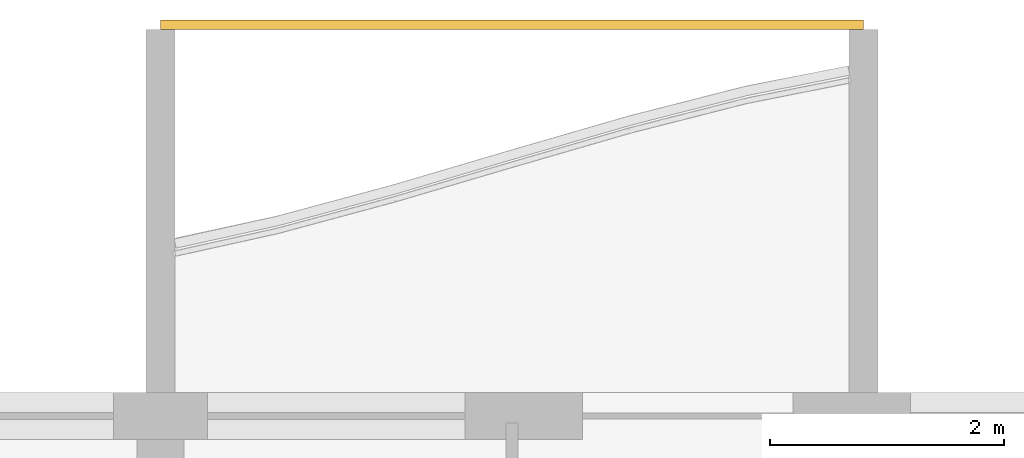
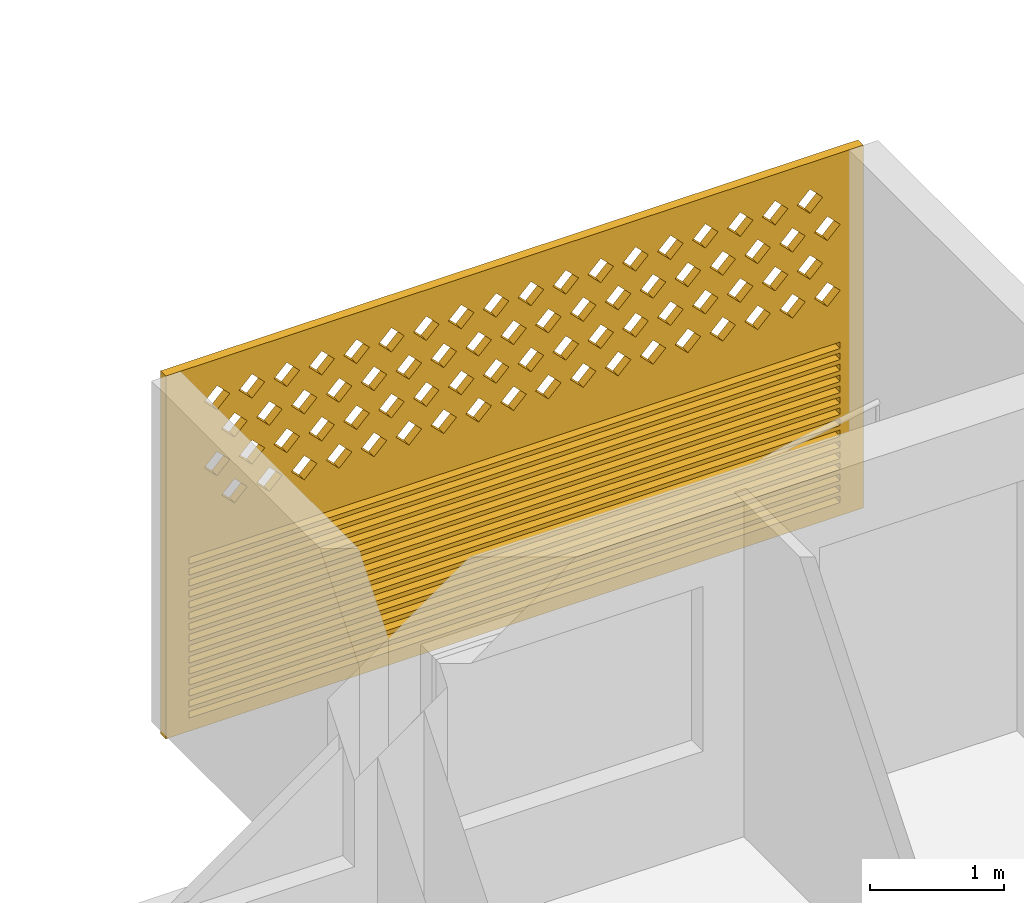
# One storey, part 31 of 40: 1 covering.
"""IFC4 building model written with IfcOpenShell, lengths in metres."""

from ifc_helpers import new_model, si_unit, direction, frame, origin, place, context, subcontext, project, spatial, polyline, outline, extrude, source, transform, mapped, material, material_profile, profile_set, type_object, element, save


model = new_model("IFC4")

# Units and contexts
model_context = context("Model", 3, precision=1e-05, world=origin(), true_north=direction((0.0, 1.0)))
body_context = subcontext(model_context, "Body", "Model", "MODEL_VIEW")
ifc_project = project(units=[si_unit("LENGTHUNIT", "METRE"), si_unit("AREAUNIT", "SQUARE_METRE"), si_unit("VOLUMEUNIT", "CUBIC_METRE"), si_unit("PLANEANGLEUNIT", "RADIAN"), si_unit("MASSUNIT", "GRAM", prefix="KILO")], contexts=[model_context])

# Site, building, storey
site_placement = place(None, origin())
site = spatial("IfcSite", under=ifc_project, at=site_placement, CompositionType="ELEMENT")
building_placement = place(site_placement, origin())
building = spatial("IfcBuilding", under=site, at=building_placement, Name="Poui Terraces", CompositionType="ELEMENT")
storey_placement = place(building_placement, frame((0.0, 0.0, 36.60009765625)))
storey = spatial("IfcBuildingStorey", under=building, at=storey_placement, Name="L09", CompositionType="ELEMENT", Elevation=36.60009765625)

# Covering
ifc_material = material(Name="Terracotta screen", Category="masonry")
ifc_material_profile = material_profile(ifc_material, outline(polyline([(-3.0, -1.64990234375), (3.0, -1.64990234375), (3.0, 1.64990234375), (-3.0, 1.64990234375), (-3.0, -1.64990234375)]), holes=[polyline([(-2.800048828125, 0.39990234375), (-2.68994140625, 0.2900390625), (-2.580078125, 0.39990234375), (-2.68994140625, 0.510009765625), (-2.800048828125, 0.39990234375)]), polyline([(-2.5, 0.39990234375), (-2.389892578125, 0.2900390625), (-2.280029296875, 0.39990234375), (-2.389892578125, 0.510009765625), (-2.5, 0.39990234375)]), polyline([(-2.199951171875, 0.39990234375), (-2.090087890625, 0.2900390625), (-1.97998046875, 0.39990234375), (-2.090087890625, 0.510009765625), (-2.199951171875, 0.39990234375)]), polyline([(-1.89990234375, 0.39990234375), (-1.7900390625, 0.2900390625), (-1.679931640625, 0.39990234375), (-1.7900390625, 0.510009765625), (-1.89990234375, 0.39990234375)]), polyline([(-1.60009765625, 0.39990234375), (-1.489990234375, 0.2900390625), (-1.3798828125, 0.39990234375), (-1.489990234375, 0.510009765625), (-1.60009765625, 0.39990234375)]), polyline([(-1.300048828125, 0.39990234375), (-1.18994140625, 0.2900390625), (-1.080078125, 0.39990234375), (-1.18994140625, 0.510009765625), (-1.300048828125, 0.39990234375)]), polyline([(-1.0, 0.39990234375), (-0.889892578125, 0.2900390625), (-0.780029296875, 0.39990234375), (-0.889892578125, 0.510009765625), (-1.0, 0.39990234375)]), polyline([(-0.699951171875, 0.39990234375), (-0.590087890625, 0.2900390625), (-0.47998046875, 0.39990234375), (-0.590087890625, 0.510009765625), (-0.699951171875, 0.39990234375)]), polyline([(-0.39990234375, 0.39990234375), (-0.2900390625, 0.2900390625), (-0.179931640625, 0.39990234375), (-0.2900390625, 0.510009765625), (-0.39990234375, 0.39990234375)]), polyline([(-0.10009765625, 0.39990234375), (0.010009765625, 0.2900390625), (0.1201171875, 0.39990234375), (0.010009765625, 0.510009765625), (-0.10009765625, 0.39990234375)]), polyline([(0.199951171875, 0.39990234375), (0.31005859375, 0.2900390625), (0.419921875, 0.39990234375), (0.31005859375, 0.510009765625), (0.199951171875, 0.39990234375)]), polyline([(0.5, 0.39990234375), (0.610107421875, 0.2900390625), (0.719970703125, 0.39990234375), (0.610107421875, 0.510009765625), (0.5, 0.39990234375)]), polyline([(0.800048828125, 0.39990234375), (0.909912109375, 0.2900390625), (1.02001953125, 0.39990234375), (0.909912109375, 0.510009765625), (0.800048828125, 0.39990234375)]), polyline([(1.10009765625, 0.39990234375), (1.2099609375, 0.2900390625), (1.320068359375, 0.39990234375), (1.2099609375, 0.510009765625), (1.10009765625, 0.39990234375)]), polyline([(1.39990234375, 0.39990234375), (1.510009765625, 0.2900390625), (1.6201171875, 0.39990234375), (1.510009765625, 0.510009765625), (1.39990234375, 0.39990234375)]), polyline([(1.699951171875, 0.39990234375), (1.81005859375, 0.2900390625), (1.919921875, 0.39990234375), (1.81005859375, 0.510009765625), (1.699951171875, 0.39990234375)]), polyline([(2.0, 0.39990234375), (2.110107421875, 0.2900390625), (2.219970703125, 0.39990234375), (2.110107421875, 0.510009765625), (2.0, 0.39990234375)]), polyline([(2.300048828125, 0.39990234375), (2.409912109375, 0.2900390625), (2.52001953125, 0.39990234375), (2.409912109375, 0.510009765625), (2.300048828125, 0.39990234375)]), polyline([(-2.64990234375, 0.699951171875), (-2.5400390625, 0.590087890625), (-2.429931640625, 0.699951171875), (-2.5400390625, 0.81005859375), (-2.64990234375, 0.699951171875)]), polyline([(-2.35009765625, 0.699951171875), (-2.239990234375, 0.590087890625), (-2.1298828125, 0.699951171875), (-2.239990234375, 0.81005859375), (-2.35009765625, 0.699951171875)]), polyline([(-2.050048828125, 0.699951171875), (-1.93994140625, 0.590087890625), (-1.830078125, 0.699951171875), (-1.93994140625, 0.81005859375), (-2.050048828125, 0.699951171875)]), polyline([(-1.75, 0.699951171875), (-1.639892578125, 0.590087890625), (-1.530029296875, 0.699951171875), (-1.639892578125, 0.81005859375), (-1.75, 0.699951171875)]), polyline([(-1.449951171875, 0.699951171875), (-1.340087890625, 0.590087890625), (-1.22998046875, 0.699951171875), (-1.340087890625, 0.81005859375), (-1.449951171875, 0.699951171875)]), polyline([(-1.14990234375, 0.699951171875), (-1.0400390625, 0.590087890625), (-0.929931640625, 0.699951171875), (-1.0400390625, 0.81005859375), (-1.14990234375, 0.699951171875)]), polyline([(-0.85009765625, 0.699951171875), (-0.739990234375, 0.590087890625), (-0.6298828125, 0.699951171875), (-0.739990234375, 0.81005859375), (-0.85009765625, 0.699951171875)]), polyline([(-0.550048828125, 0.699951171875), (-0.43994140625, 0.590087890625), (-0.330078125, 0.699951171875), (-0.43994140625, 0.81005859375), (-0.550048828125, 0.699951171875)]), polyline([(-0.25, 0.699951171875), (-0.139892578125, 0.590087890625), (-0.030029296875, 0.699951171875), (-0.139892578125, 0.81005859375), (-0.25, 0.699951171875)]), polyline([(0.050048828125, 0.699951171875), (0.159912109375, 0.590087890625), (0.27001953125, 0.699951171875), (0.159912109375, 0.81005859375), (0.050048828125, 0.699951171875)]), polyline([(0.35009765625, 0.699951171875), (0.4599609375, 0.590087890625), (0.570068359375, 0.699951171875), (0.4599609375, 0.81005859375), (0.35009765625, 0.699951171875)]), polyline([(0.64990234375, 0.699951171875), (0.760009765625, 0.590087890625), (0.8701171875, 0.699951171875), (0.760009765625, 0.81005859375), (0.64990234375, 0.699951171875)]), polyline([(0.949951171875, 0.699951171875), (1.06005859375, 0.590087890625), (1.169921875, 0.699951171875), (1.06005859375, 0.81005859375), (0.949951171875, 0.699951171875)]), polyline([(1.25, 0.699951171875), (1.360107421875, 0.590087890625), (1.469970703125, 0.699951171875), (1.360107421875, 0.81005859375), (1.25, 0.699951171875)]), polyline([(1.550048828125, 0.699951171875), (1.659912109375, 0.590087890625), (1.77001953125, 0.699951171875), (1.659912109375, 0.81005859375), (1.550048828125, 0.699951171875)]), polyline([(1.85009765625, 0.699951171875), (1.9599609375, 0.590087890625), (2.070068359375, 0.699951171875), (1.9599609375, 0.81005859375), (1.85009765625, 0.699951171875)]), polyline([(2.14990234375, 0.699951171875), (2.260009765625, 0.590087890625), (2.3701171875, 0.699951171875), (2.260009765625, 0.81005859375), (2.14990234375, 0.699951171875)]), polyline([(2.449951171875, 0.699951171875), (2.56005859375, 0.590087890625), (2.669921875, 0.699951171875), (2.56005859375, 0.81005859375), (2.449951171875, 0.699951171875)]), polyline([(-2.800048828125, 1.0), (-2.68994140625, 0.889892578125), (-2.580078125, 1.0), (-2.68994140625, 1.110107421875), (-2.800048828125, 1.0)]), polyline([(-2.5, 1.0), (-2.389892578125, 0.889892578125), (-2.280029296875, 1.0), (-2.389892578125, 1.110107421875), (-2.5, 1.0)]), polyline([(-2.199951171875, 1.0), (-2.090087890625, 0.889892578125), (-1.97998046875, 1.0), (-2.090087890625, 1.110107421875), (-2.199951171875, 1.0)]), polyline([(-1.89990234375, 1.0), (-1.7900390625, 0.889892578125), (-1.679931640625, 1.0), (-1.7900390625, 1.110107421875), (-1.89990234375, 1.0)]), polyline([(-1.60009765625, 1.0), (-1.489990234375, 0.889892578125), (-1.3798828125, 1.0), (-1.489990234375, 1.110107421875), (-1.60009765625, 1.0)]), polyline([(-1.300048828125, 1.0), (-1.18994140625, 0.889892578125), (-1.080078125, 1.0), (-1.18994140625, 1.110107421875), (-1.300048828125, 1.0)]), polyline([(-1.0, 1.0), (-0.889892578125, 0.889892578125), (-0.780029296875, 1.0), (-0.889892578125, 1.110107421875), (-1.0, 1.0)]), polyline([(-0.699951171875, 1.0), (-0.590087890625, 0.889892578125), (-0.47998046875, 1.0), (-0.590087890625, 1.110107421875), (-0.699951171875, 1.0)]), polyline([(-0.39990234375, 1.0), (-0.2900390625, 0.889892578125), (-0.179931640625, 1.0), (-0.2900390625, 1.110107421875), (-0.39990234375, 1.0)]), polyline([(-0.10009765625, 1.0), (0.010009765625, 0.889892578125), (0.1201171875, 1.0), (0.010009765625, 1.110107421875), (-0.10009765625, 1.0)]), polyline([(0.199951171875, 1.0), (0.31005859375, 0.889892578125), (0.419921875, 1.0), (0.31005859375, 1.110107421875), (0.199951171875, 1.0)]), polyline([(0.5, 1.0), (0.610107421875, 0.889892578125), (0.719970703125, 1.0), (0.610107421875, 1.110107421875), (0.5, 1.0)]), polyline([(0.800048828125, 1.0), (0.909912109375, 0.889892578125), (1.02001953125, 1.0), (0.909912109375, 1.110107421875), (0.800048828125, 1.0)]), polyline([(1.10009765625, 1.0), (1.2099609375, 0.889892578125), (1.320068359375, 1.0), (1.2099609375, 1.110107421875), (1.10009765625, 1.0)]), polyline([(1.39990234375, 1.0), (1.510009765625, 0.889892578125), (1.6201171875, 1.0), (1.510009765625, 1.110107421875), (1.39990234375, 1.0)]), polyline([(1.699951171875, 1.0), (1.81005859375, 0.889892578125), (1.919921875, 1.0), (1.81005859375, 1.110107421875), (1.699951171875, 1.0)]), polyline([(2.0, 1.0), (2.110107421875, 0.889892578125), (2.219970703125, 1.0), (2.110107421875, 1.110107421875), (2.0, 1.0)]), polyline([(2.300048828125, 1.0), (2.409912109375, 0.889892578125), (2.52001953125, 1.0), (2.409912109375, 1.110107421875), (2.300048828125, 1.0)]), polyline([(-2.64990234375, 1.300048828125), (-2.5400390625, 1.18994140625), (-2.429931640625, 1.300048828125), (-2.5400390625, 1.409912109375), (-2.64990234375, 1.300048828125)]), polyline([(-2.35009765625, 1.300048828125), (-2.239990234375, 1.18994140625), (-2.1298828125, 1.300048828125), (-2.239990234375, 1.409912109375), (-2.35009765625, 1.300048828125)]), polyline([(-2.050048828125, 1.300048828125), (-1.93994140625, 1.18994140625), (-1.830078125, 1.300048828125), (-1.93994140625, 1.409912109375), (-2.050048828125, 1.300048828125)]), polyline([(-1.75, 1.300048828125), (-1.639892578125, 1.18994140625), (-1.530029296875, 1.300048828125), (-1.639892578125, 1.409912109375), (-1.75, 1.300048828125)]), polyline([(-1.449951171875, 1.300048828125), (-1.340087890625, 1.18994140625), (-1.22998046875, 1.300048828125), (-1.340087890625, 1.409912109375), (-1.449951171875, 1.300048828125)]), polyline([(-1.14990234375, 1.300048828125), (-1.0400390625, 1.18994140625), (-0.929931640625, 1.300048828125), (-1.0400390625, 1.409912109375), (-1.14990234375, 1.300048828125)]), polyline([(-0.85009765625, 1.300048828125), (-0.739990234375, 1.18994140625), (-0.6298828125, 1.300048828125), (-0.739990234375, 1.409912109375), (-0.85009765625, 1.300048828125)]), polyline([(-0.550048828125, 1.300048828125), (-0.43994140625, 1.18994140625), (-0.330078125, 1.300048828125), (-0.43994140625, 1.409912109375), (-0.550048828125, 1.300048828125)]), polyline([(-0.25, 1.300048828125), (-0.139892578125, 1.18994140625), (-0.030029296875, 1.300048828125), (-0.139892578125, 1.409912109375), (-0.25, 1.300048828125)]), polyline([(0.050048828125, 1.300048828125), (0.159912109375, 1.18994140625), (0.27001953125, 1.300048828125), (0.159912109375, 1.409912109375), (0.050048828125, 1.300048828125)]), polyline([(0.35009765625, 1.300048828125), (0.4599609375, 1.18994140625), (0.570068359375, 1.300048828125), (0.4599609375, 1.409912109375), (0.35009765625, 1.300048828125)]), polyline([(0.64990234375, 1.300048828125), (0.760009765625, 1.18994140625), (0.8701171875, 1.300048828125), (0.760009765625, 1.409912109375), (0.64990234375, 1.300048828125)]), polyline([(0.949951171875, 1.300048828125), (1.06005859375, 1.18994140625), (1.169921875, 1.300048828125), (1.06005859375, 1.409912109375), (0.949951171875, 1.300048828125)]), polyline([(1.25, 1.300048828125), (1.360107421875, 1.18994140625), (1.469970703125, 1.300048828125), (1.360107421875, 1.409912109375), (1.25, 1.300048828125)]), polyline([(1.550048828125, 1.300048828125), (1.659912109375, 1.18994140625), (1.77001953125, 1.300048828125), (1.659912109375, 1.409912109375), (1.550048828125, 1.300048828125)]), polyline([(1.85009765625, 1.300048828125), (1.9599609375, 1.18994140625), (2.070068359375, 1.300048828125), (1.9599609375, 1.409912109375), (1.85009765625, 1.300048828125)]), polyline([(2.14990234375, 1.300048828125), (2.260009765625, 1.18994140625), (2.3701171875, 1.300048828125), (2.260009765625, 1.409912109375), (2.14990234375, 1.300048828125)]), polyline([(2.449951171875, 1.300048828125), (2.56005859375, 1.18994140625), (2.669921875, 1.300048828125), (2.56005859375, 1.409912109375), (2.449951171875, 1.300048828125)]), polyline([(-2.800048828125, -1.530029296875), (2.800048828125, -1.530029296875), (2.800048828125, -1.469970703125), (-2.800048828125, -1.469970703125), (-2.800048828125, -1.530029296875)]), polyline([(-2.800048828125, -1.429931640625), (2.800048828125, -1.429931640625), (2.800048828125, -1.3701171875), (-2.800048828125, -1.3701171875), (-2.800048828125, -1.429931640625)]), polyline([(-2.800048828125, -1.330078125), (2.800048828125, -1.330078125), (2.800048828125, -1.27001953125), (-2.800048828125, -1.27001953125), (-2.800048828125, -1.330078125)]), polyline([(-2.800048828125, -1.22998046875), (2.800048828125, -1.22998046875), (2.800048828125, -1.169921875), (-2.800048828125, -1.169921875), (-2.800048828125, -1.22998046875)]), polyline([(-2.800048828125, -1.1298828125), (2.800048828125, -1.1298828125), (2.800048828125, -1.070068359375), (-2.800048828125, -1.070068359375), (-2.800048828125, -1.1298828125)]), polyline([(-2.800048828125, -1.030029296875), (2.800048828125, -1.030029296875), (2.800048828125, -0.969970703125), (-2.800048828125, -0.969970703125), (-2.800048828125, -1.030029296875)]), polyline([(-2.800048828125, -0.929931640625), (2.800048828125, -0.929931640625), (2.800048828125, -0.8701171875), (-2.800048828125, -0.8701171875), (-2.800048828125, -0.929931640625)]), polyline([(-2.800048828125, -0.830078125), (2.800048828125, -0.830078125), (2.800048828125, -0.77001953125), (-2.800048828125, -0.77001953125), (-2.800048828125, -0.830078125)]), polyline([(-2.800048828125, -0.72998046875), (2.800048828125, -0.72998046875), (2.800048828125, -0.669921875), (-2.800048828125, -0.669921875), (-2.800048828125, -0.72998046875)]), polyline([(-2.800048828125, -0.6298828125), (2.800048828125, -0.6298828125), (2.800048828125, -0.570068359375), (-2.800048828125, -0.570068359375), (-2.800048828125, -0.6298828125)]), polyline([(-2.800048828125, -0.530029296875), (2.800048828125, -0.530029296875), (2.800048828125, -0.469970703125), (-2.800048828125, -0.469970703125), (-2.800048828125, -0.530029296875)]), polyline([(-2.800048828125, -0.429931640625), (2.800048828125, -0.429931640625), (2.800048828125, -0.3701171875), (-2.800048828125, -0.3701171875), (-2.800048828125, -0.429931640625)]), polyline([(-2.800048828125, -0.330078125), (2.800048828125, -0.330078125), (2.800048828125, -0.27001953125), (-2.800048828125, -0.27001953125), (-2.800048828125, -0.330078125)]), polyline([(-2.800048828125, -0.22998046875), (2.800048828125, -0.22998046875), (2.800048828125, -0.169921875), (-2.800048828125, -0.169921875), (-2.800048828125, -0.22998046875)]), polyline([(-2.800048828125, -0.1298828125), (2.800048828125, -0.1298828125), (2.800048828125, -0.070068359375), (-2.800048828125, -0.070068359375), (-2.800048828125, -0.1298828125)])]), Name="TERRACOTTA SCREEN AND JALOUSIE LOUVRE 6000X3300")
ifc_profile_set = profile_set([ifc_material_profile], Name="Terracotta screen")
covering_type = type_object("IfcCoveringType", Name="TERRACOTTA SCREEN AND JALOUSIE LOUVRE 6000X3300", PredefinedType="CLADDING", material=ifc_profile_set)
shared_shape = source(origin(), body_context, "Body", "SweptSolid", [
    extrude(outline(polyline([(-3.0, -1.64990234375), (3.0, -1.64990234375), (3.0, 1.64990234375), (-3.0, 1.64990234375), (-3.0, -1.64990234375)]), holes=[polyline([(-2.800048828125, 0.39990234375), (-2.68994140625, 0.2900390625), (-2.580078125, 0.39990234375), (-2.68994140625, 0.510009765625), (-2.800048828125, 0.39990234375)]), polyline([(-2.5, 0.39990234375), (-2.389892578125, 0.2900390625), (-2.280029296875, 0.39990234375), (-2.389892578125, 0.510009765625), (-2.5, 0.39990234375)]), polyline([(-2.199951171875, 0.39990234375), (-2.090087890625, 0.2900390625), (-1.97998046875, 0.39990234375), (-2.090087890625, 0.510009765625), (-2.199951171875, 0.39990234375)]), polyline([(-1.89990234375, 0.39990234375), (-1.7900390625, 0.2900390625), (-1.679931640625, 0.39990234375), (-1.7900390625, 0.510009765625), (-1.89990234375, 0.39990234375)]), polyline([(-1.60009765625, 0.39990234375), (-1.489990234375, 0.2900390625), (-1.3798828125, 0.39990234375), (-1.489990234375, 0.510009765625), (-1.60009765625, 0.39990234375)]), polyline([(-1.300048828125, 0.39990234375), (-1.18994140625, 0.2900390625), (-1.080078125, 0.39990234375), (-1.18994140625, 0.510009765625), (-1.300048828125, 0.39990234375)]), polyline([(-1.0, 0.39990234375), (-0.889892578125, 0.2900390625), (-0.780029296875, 0.39990234375), (-0.889892578125, 0.510009765625), (-1.0, 0.39990234375)]), polyline([(-0.699951171875, 0.39990234375), (-0.590087890625, 0.2900390625), (-0.47998046875, 0.39990234375), (-0.590087890625, 0.510009765625), (-0.699951171875, 0.39990234375)]), polyline([(-0.39990234375, 0.39990234375), (-0.2900390625, 0.2900390625), (-0.179931640625, 0.39990234375), (-0.2900390625, 0.510009765625), (-0.39990234375, 0.39990234375)]), polyline([(-0.10009765625, 0.39990234375), (0.010009765625, 0.2900390625), (0.1201171875, 0.39990234375), (0.010009765625, 0.510009765625), (-0.10009765625, 0.39990234375)]), polyline([(0.199951171875, 0.39990234375), (0.31005859375, 0.2900390625), (0.419921875, 0.39990234375), (0.31005859375, 0.510009765625), (0.199951171875, 0.39990234375)]), polyline([(0.5, 0.39990234375), (0.610107421875, 0.2900390625), (0.719970703125, 0.39990234375), (0.610107421875, 0.510009765625), (0.5, 0.39990234375)]), polyline([(0.800048828125, 0.39990234375), (0.909912109375, 0.2900390625), (1.02001953125, 0.39990234375), (0.909912109375, 0.510009765625), (0.800048828125, 0.39990234375)]), polyline([(1.10009765625, 0.39990234375), (1.2099609375, 0.2900390625), (1.320068359375, 0.39990234375), (1.2099609375, 0.510009765625), (1.10009765625, 0.39990234375)]), polyline([(1.39990234375, 0.39990234375), (1.510009765625, 0.2900390625), (1.6201171875, 0.39990234375), (1.510009765625, 0.510009765625), (1.39990234375, 0.39990234375)]), polyline([(1.699951171875, 0.39990234375), (1.81005859375, 0.2900390625), (1.919921875, 0.39990234375), (1.81005859375, 0.510009765625), (1.699951171875, 0.39990234375)]), polyline([(2.0, 0.39990234375), (2.110107421875, 0.2900390625), (2.219970703125, 0.39990234375), (2.110107421875, 0.510009765625), (2.0, 0.39990234375)]), polyline([(2.300048828125, 0.39990234375), (2.409912109375, 0.2900390625), (2.52001953125, 0.39990234375), (2.409912109375, 0.510009765625), (2.300048828125, 0.39990234375)]), polyline([(-2.64990234375, 0.699951171875), (-2.5400390625, 0.590087890625), (-2.429931640625, 0.699951171875), (-2.5400390625, 0.81005859375), (-2.64990234375, 0.699951171875)]), polyline([(-2.35009765625, 0.699951171875), (-2.239990234375, 0.590087890625), (-2.1298828125, 0.699951171875), (-2.239990234375, 0.81005859375), (-2.35009765625, 0.699951171875)]), polyline([(-2.050048828125, 0.699951171875), (-1.93994140625, 0.590087890625), (-1.830078125, 0.699951171875), (-1.93994140625, 0.81005859375), (-2.050048828125, 0.699951171875)]), polyline([(-1.75, 0.699951171875), (-1.639892578125, 0.590087890625), (-1.530029296875, 0.699951171875), (-1.639892578125, 0.81005859375), (-1.75, 0.699951171875)]), polyline([(-1.449951171875, 0.699951171875), (-1.340087890625, 0.590087890625), (-1.22998046875, 0.699951171875), (-1.340087890625, 0.81005859375), (-1.449951171875, 0.699951171875)]), polyline([(-1.14990234375, 0.699951171875), (-1.0400390625, 0.590087890625), (-0.929931640625, 0.699951171875), (-1.0400390625, 0.81005859375), (-1.14990234375, 0.699951171875)]), polyline([(-0.85009765625, 0.699951171875), (-0.739990234375, 0.590087890625), (-0.6298828125, 0.699951171875), (-0.739990234375, 0.81005859375), (-0.85009765625, 0.699951171875)]), polyline([(-0.550048828125, 0.699951171875), (-0.43994140625, 0.590087890625), (-0.330078125, 0.699951171875), (-0.43994140625, 0.81005859375), (-0.550048828125, 0.699951171875)]), polyline([(-0.25, 0.699951171875), (-0.139892578125, 0.590087890625), (-0.030029296875, 0.699951171875), (-0.139892578125, 0.81005859375), (-0.25, 0.699951171875)]), polyline([(0.050048828125, 0.699951171875), (0.159912109375, 0.590087890625), (0.27001953125, 0.699951171875), (0.159912109375, 0.81005859375), (0.050048828125, 0.699951171875)]), polyline([(0.35009765625, 0.699951171875), (0.4599609375, 0.590087890625), (0.570068359375, 0.699951171875), (0.4599609375, 0.81005859375), (0.35009765625, 0.699951171875)]), polyline([(0.64990234375, 0.699951171875), (0.760009765625, 0.590087890625), (0.8701171875, 0.699951171875), (0.760009765625, 0.81005859375), (0.64990234375, 0.699951171875)]), polyline([(0.949951171875, 0.699951171875), (1.06005859375, 0.590087890625), (1.169921875, 0.699951171875), (1.06005859375, 0.81005859375), (0.949951171875, 0.699951171875)]), polyline([(1.25, 0.699951171875), (1.360107421875, 0.590087890625), (1.469970703125, 0.699951171875), (1.360107421875, 0.81005859375), (1.25, 0.699951171875)]), polyline([(1.550048828125, 0.699951171875), (1.659912109375, 0.590087890625), (1.77001953125, 0.699951171875), (1.659912109375, 0.81005859375), (1.550048828125, 0.699951171875)]), polyline([(1.85009765625, 0.699951171875), (1.9599609375, 0.590087890625), (2.070068359375, 0.699951171875), (1.9599609375, 0.81005859375), (1.85009765625, 0.699951171875)]), polyline([(2.14990234375, 0.699951171875), (2.260009765625, 0.590087890625), (2.3701171875, 0.699951171875), (2.260009765625, 0.81005859375), (2.14990234375, 0.699951171875)]), polyline([(2.449951171875, 0.699951171875), (2.56005859375, 0.590087890625), (2.669921875, 0.699951171875), (2.56005859375, 0.81005859375), (2.449951171875, 0.699951171875)]), polyline([(-2.800048828125, 1.0), (-2.68994140625, 0.889892578125), (-2.580078125, 1.0), (-2.68994140625, 1.110107421875), (-2.800048828125, 1.0)]), polyline([(-2.5, 1.0), (-2.389892578125, 0.889892578125), (-2.280029296875, 1.0), (-2.389892578125, 1.110107421875), (-2.5, 1.0)]), polyline([(-2.199951171875, 1.0), (-2.090087890625, 0.889892578125), (-1.97998046875, 1.0), (-2.090087890625, 1.110107421875), (-2.199951171875, 1.0)]), polyline([(-1.89990234375, 1.0), (-1.7900390625, 0.889892578125), (-1.679931640625, 1.0), (-1.7900390625, 1.110107421875), (-1.89990234375, 1.0)]), polyline([(-1.60009765625, 1.0), (-1.489990234375, 0.889892578125), (-1.3798828125, 1.0), (-1.489990234375, 1.110107421875), (-1.60009765625, 1.0)]), polyline([(-1.300048828125, 1.0), (-1.18994140625, 0.889892578125), (-1.080078125, 1.0), (-1.18994140625, 1.110107421875), (-1.300048828125, 1.0)]), polyline([(-1.0, 1.0), (-0.889892578125, 0.889892578125), (-0.780029296875, 1.0), (-0.889892578125, 1.110107421875), (-1.0, 1.0)]), polyline([(-0.699951171875, 1.0), (-0.590087890625, 0.889892578125), (-0.47998046875, 1.0), (-0.590087890625, 1.110107421875), (-0.699951171875, 1.0)]), polyline([(-0.39990234375, 1.0), (-0.2900390625, 0.889892578125), (-0.179931640625, 1.0), (-0.2900390625, 1.110107421875), (-0.39990234375, 1.0)]), polyline([(-0.10009765625, 1.0), (0.010009765625, 0.889892578125), (0.1201171875, 1.0), (0.010009765625, 1.110107421875), (-0.10009765625, 1.0)]), polyline([(0.199951171875, 1.0), (0.31005859375, 0.889892578125), (0.419921875, 1.0), (0.31005859375, 1.110107421875), (0.199951171875, 1.0)]), polyline([(0.5, 1.0), (0.610107421875, 0.889892578125), (0.719970703125, 1.0), (0.610107421875, 1.110107421875), (0.5, 1.0)]), polyline([(0.800048828125, 1.0), (0.909912109375, 0.889892578125), (1.02001953125, 1.0), (0.909912109375, 1.110107421875), (0.800048828125, 1.0)]), polyline([(1.10009765625, 1.0), (1.2099609375, 0.889892578125), (1.320068359375, 1.0), (1.2099609375, 1.110107421875), (1.10009765625, 1.0)]), polyline([(1.39990234375, 1.0), (1.510009765625, 0.889892578125), (1.6201171875, 1.0), (1.510009765625, 1.110107421875), (1.39990234375, 1.0)]), polyline([(1.699951171875, 1.0), (1.81005859375, 0.889892578125), (1.919921875, 1.0), (1.81005859375, 1.110107421875), (1.699951171875, 1.0)]), polyline([(2.0, 1.0), (2.110107421875, 0.889892578125), (2.219970703125, 1.0), (2.110107421875, 1.110107421875), (2.0, 1.0)]), polyline([(2.300048828125, 1.0), (2.409912109375, 0.889892578125), (2.52001953125, 1.0), (2.409912109375, 1.110107421875), (2.300048828125, 1.0)]), polyline([(-2.64990234375, 1.300048828125), (-2.5400390625, 1.18994140625), (-2.429931640625, 1.300048828125), (-2.5400390625, 1.409912109375), (-2.64990234375, 1.300048828125)]), polyline([(-2.35009765625, 1.300048828125), (-2.239990234375, 1.18994140625), (-2.1298828125, 1.300048828125), (-2.239990234375, 1.409912109375), (-2.35009765625, 1.300048828125)]), polyline([(-2.050048828125, 1.300048828125), (-1.93994140625, 1.18994140625), (-1.830078125, 1.300048828125), (-1.93994140625, 1.409912109375), (-2.050048828125, 1.300048828125)]), polyline([(-1.75, 1.300048828125), (-1.639892578125, 1.18994140625), (-1.530029296875, 1.300048828125), (-1.639892578125, 1.409912109375), (-1.75, 1.300048828125)]), polyline([(-1.449951171875, 1.300048828125), (-1.340087890625, 1.18994140625), (-1.22998046875, 1.300048828125), (-1.340087890625, 1.409912109375), (-1.449951171875, 1.300048828125)]), polyline([(-1.14990234375, 1.300048828125), (-1.0400390625, 1.18994140625), (-0.929931640625, 1.300048828125), (-1.0400390625, 1.409912109375), (-1.14990234375, 1.300048828125)]), polyline([(-0.85009765625, 1.300048828125), (-0.739990234375, 1.18994140625), (-0.6298828125, 1.300048828125), (-0.739990234375, 1.409912109375), (-0.85009765625, 1.300048828125)]), polyline([(-0.550048828125, 1.300048828125), (-0.43994140625, 1.18994140625), (-0.330078125, 1.300048828125), (-0.43994140625, 1.409912109375), (-0.550048828125, 1.300048828125)]), polyline([(-0.25, 1.300048828125), (-0.139892578125, 1.18994140625), (-0.030029296875, 1.300048828125), (-0.139892578125, 1.409912109375), (-0.25, 1.300048828125)]), polyline([(0.050048828125, 1.300048828125), (0.159912109375, 1.18994140625), (0.27001953125, 1.300048828125), (0.159912109375, 1.409912109375), (0.050048828125, 1.300048828125)]), polyline([(0.35009765625, 1.300048828125), (0.4599609375, 1.18994140625), (0.570068359375, 1.300048828125), (0.4599609375, 1.409912109375), (0.35009765625, 1.300048828125)]), polyline([(0.64990234375, 1.300048828125), (0.760009765625, 1.18994140625), (0.8701171875, 1.300048828125), (0.760009765625, 1.409912109375), (0.64990234375, 1.300048828125)]), polyline([(0.949951171875, 1.300048828125), (1.06005859375, 1.18994140625), (1.169921875, 1.300048828125), (1.06005859375, 1.409912109375), (0.949951171875, 1.300048828125)]), polyline([(1.25, 1.300048828125), (1.360107421875, 1.18994140625), (1.469970703125, 1.300048828125), (1.360107421875, 1.409912109375), (1.25, 1.300048828125)]), polyline([(1.550048828125, 1.300048828125), (1.659912109375, 1.18994140625), (1.77001953125, 1.300048828125), (1.659912109375, 1.409912109375), (1.550048828125, 1.300048828125)]), polyline([(1.85009765625, 1.300048828125), (1.9599609375, 1.18994140625), (2.070068359375, 1.300048828125), (1.9599609375, 1.409912109375), (1.85009765625, 1.300048828125)]), polyline([(2.14990234375, 1.300048828125), (2.260009765625, 1.18994140625), (2.3701171875, 1.300048828125), (2.260009765625, 1.409912109375), (2.14990234375, 1.300048828125)]), polyline([(2.449951171875, 1.300048828125), (2.56005859375, 1.18994140625), (2.669921875, 1.300048828125), (2.56005859375, 1.409912109375), (2.449951171875, 1.300048828125)]), polyline([(-2.800048828125, -1.530029296875), (2.800048828125, -1.530029296875), (2.800048828125, -1.469970703125), (-2.800048828125, -1.469970703125), (-2.800048828125, -1.530029296875)]), polyline([(-2.800048828125, -1.429931640625), (2.800048828125, -1.429931640625), (2.800048828125, -1.3701171875), (-2.800048828125, -1.3701171875), (-2.800048828125, -1.429931640625)]), polyline([(-2.800048828125, -1.330078125), (2.800048828125, -1.330078125), (2.800048828125, -1.27001953125), (-2.800048828125, -1.27001953125), (-2.800048828125, -1.330078125)]), polyline([(-2.800048828125, -1.22998046875), (2.800048828125, -1.22998046875), (2.800048828125, -1.169921875), (-2.800048828125, -1.169921875), (-2.800048828125, -1.22998046875)]), polyline([(-2.800048828125, -1.1298828125), (2.800048828125, -1.1298828125), (2.800048828125, -1.070068359375), (-2.800048828125, -1.070068359375), (-2.800048828125, -1.1298828125)]), polyline([(-2.800048828125, -1.030029296875), (2.800048828125, -1.030029296875), (2.800048828125, -0.969970703125), (-2.800048828125, -0.969970703125), (-2.800048828125, -1.030029296875)]), polyline([(-2.800048828125, -0.929931640625), (2.800048828125, -0.929931640625), (2.800048828125, -0.8701171875), (-2.800048828125, -0.8701171875), (-2.800048828125, -0.929931640625)]), polyline([(-2.800048828125, -0.830078125), (2.800048828125, -0.830078125), (2.800048828125, -0.77001953125), (-2.800048828125, -0.77001953125), (-2.800048828125, -0.830078125)]), polyline([(-2.800048828125, -0.72998046875), (2.800048828125, -0.72998046875), (2.800048828125, -0.669921875), (-2.800048828125, -0.669921875), (-2.800048828125, -0.72998046875)]), polyline([(-2.800048828125, -0.6298828125), (2.800048828125, -0.6298828125), (2.800048828125, -0.570068359375), (-2.800048828125, -0.570068359375), (-2.800048828125, -0.6298828125)]), polyline([(-2.800048828125, -0.530029296875), (2.800048828125, -0.530029296875), (2.800048828125, -0.469970703125), (-2.800048828125, -0.469970703125), (-2.800048828125, -0.530029296875)]), polyline([(-2.800048828125, -0.429931640625), (2.800048828125, -0.429931640625), (2.800048828125, -0.3701171875), (-2.800048828125, -0.3701171875), (-2.800048828125, -0.429931640625)]), polyline([(-2.800048828125, -0.330078125), (2.800048828125, -0.330078125), (2.800048828125, -0.27001953125), (-2.800048828125, -0.27001953125), (-2.800048828125, -0.330078125)]), polyline([(-2.800048828125, -0.22998046875), (2.800048828125, -0.22998046875), (2.800048828125, -0.169921875), (-2.800048828125, -0.169921875), (-2.800048828125, -0.22998046875)]), polyline([(-2.800048828125, -0.1298828125), (2.800048828125, -0.1298828125), (2.800048828125, -0.070068359375), (-2.800048828125, -0.070068359375), (-2.800048828125, -0.1298828125)])]), origin(), (0.0, 0.0, 1.0), 0.079833984375),
])
covering_placement = place(storey_placement, frame((63.0, 48.10009765625, 1.449951171875), z_axis=(0.0, 1.0, 0.0), x_axis=(-1.0, 0.0, 0.0)))
element("IfcCovering", 1, at=covering_placement, inside=storey, type_object=covering_type, Name="SOLAR SCREEN AND JALOUSIE LOUVRE", PredefinedType="CLADDING", context=body_context, shape_type="MappedRepresentation", body=[
    mapped(shared_shape, transform((0.0, 0.0, 0.0))),
])

save(model, "model.ifc")
